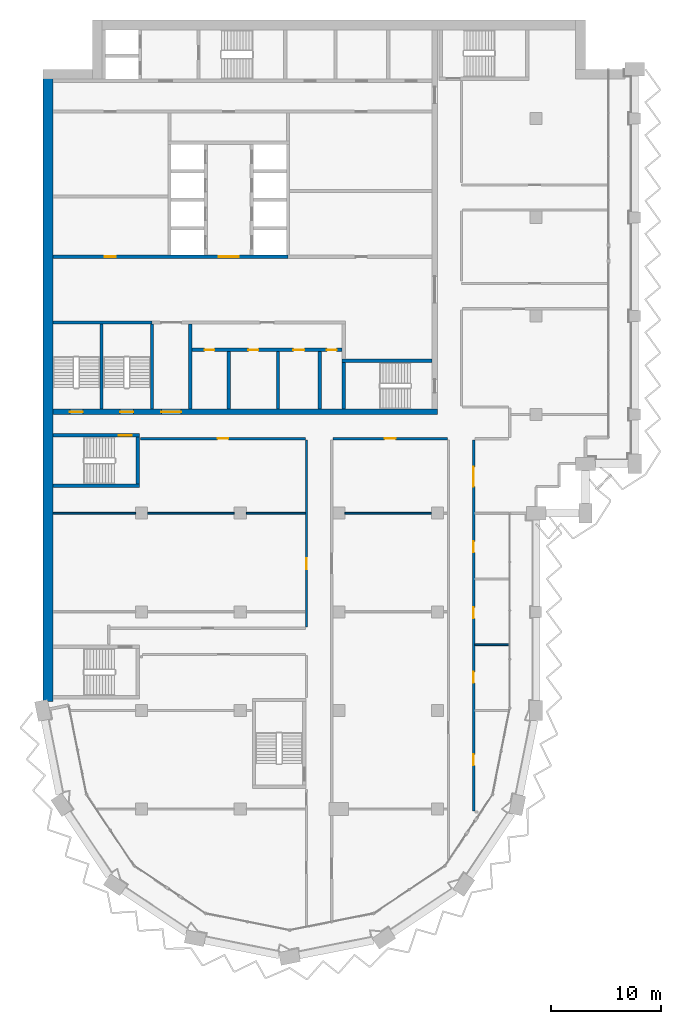
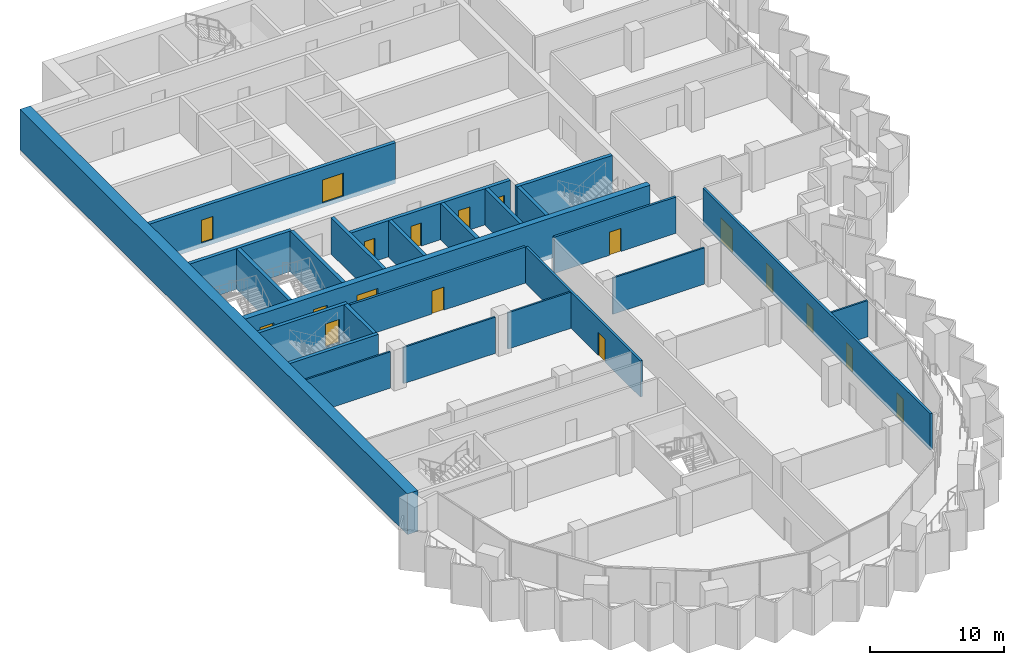
# One storey, part 8 of 17: 25 walls, 18 doors, 18 openings.
"""IFC4 building model written with IfcOpenShell, lengths in metres."""

from ifc_helpers import new_model, si_unit, direction, frame, frame_2d, origin, place, context, subcontext, project, spatial, rectangle, extrude, material, layer, layer_set, type_object, element, fill, save


model = new_model("IFC4")

# Units and contexts
model_context = context("Model", 3, precision=1e-05, world=origin(), true_north=direction((0.0, 1.0)))
body_context = subcontext(model_context, "Body", "Model", "MODEL_VIEW")
ifc_project = project(units=[si_unit("LENGTHUNIT", "METRE"), si_unit("AREAUNIT", "SQUARE_METRE"), si_unit("VOLUMEUNIT", "CUBIC_METRE"), si_unit("PLANEANGLEUNIT", "RADIAN"), si_unit("MASSUNIT", "GRAM", prefix="KILO")], contexts=[model_context])

# Site, building, storey
site_placement = place(None, origin())
site = spatial("IfcSite", under=ifc_project, at=site_placement, CompositionType="ELEMENT")
building_placement = place(site_placement, origin())
building = spatial("IfcBuilding", under=site, at=building_placement, Name="Hunhe Ridgeline Campus", CompositionType="ELEMENT")
storey_placement = place(building_placement, frame((0.0, 0.0, 201.300048828125)))
storey = spatial("IfcBuildingStorey", under=building, at=storey_placement, Name="L51", CompositionType="ELEMENT", Elevation=201.300048828125)

# Wall, openings, doors
ifc_material_1 = material(Name="Masonry concrete blockwork", Category="masonry")
ifc_layer_1 = layer(ifc_material_1, 0.300048828125)
ifc_layer_set_1 = layer_set([ifc_layer_1], Name="Core room partition 300 concrete block")
wall_type_1 = type_object("IfcWallType", Name="Core room partition 300 concrete block", PredefinedType="PARTITIONING", material=ifc_layer_set_1)
wall_1_placement = place(storey_placement, frame((13.60009765625, 68.89990234375, 0.0), z_axis=(0.0, 0.0, 1.0), x_axis=(1.0, 0.0, 0.0)))
wall_1 = element("IfcWall", 1, at=wall_1_placement, inside=storey, type_object=wall_type_1, Name="L51 core partition 9", PredefinedType="PARTITIONING", context=body_context, shape_type="SweptSolid", body=[
    extrude(rectangle(XDim=13.699951171875, YDim=0.300048828125, at=frame_2d((6.85009765625, 0.0))), origin(), (0.0, 0.0, 1.0), 3.300048828125),
])
opening_1_placement = place(wall_1_placement, frame((1.14990234375, 0.0, 0.0)))
opening_1 = element("IfcOpeningElement", 2, at=opening_1_placement, cuts=wall_1, Name="Opening CD8", PredefinedType="OPENING", context=body_context, shape_type="SweptSolid", body=[
    extrude(rectangle(XDim=0.89990234375, YDim=2.10009765625, at=frame_2d((0.449951171875, 1.050048828125))), frame((0.0, 0.14990234375, 0.0), z_axis=(0.0, -1.0, 0.0), x_axis=(1.0, 0.0, 0.0)), (0.0, 0.0, 1.0), 0.300048828125),
])
opening_2_placement = place(wall_1_placement, frame((5.14990234375, 0.0, 0.0)))
opening_2 = element("IfcOpeningElement", 3, at=opening_2_placement, cuts=wall_1, Name="Opening CD9", PredefinedType="OPENING", context=body_context, shape_type="SweptSolid", body=[
    extrude(rectangle(XDim=0.89990234375, YDim=2.10009765625, at=frame_2d((0.449951171875, 1.050048828125))), frame((0.0, 0.14990234375, 0.0), z_axis=(0.0, -1.0, 0.0), x_axis=(1.0, 0.0, 0.0)), (0.0, 0.0, 1.0), 0.300048828125),
])
opening_3_placement = place(wall_1_placement, frame((9.25, 0.0, 0.0)))
opening_3 = element("IfcOpeningElement", 4, at=opening_3_placement, cuts=wall_1, Name="Opening CD10", PredefinedType="OPENING", context=body_context, shape_type="SweptSolid", body=[
    extrude(rectangle(XDim=1.0, YDim=2.10009765625, at=frame_2d((0.5, 1.050048828125))), frame((0.0, 0.14990234375, 0.0), z_axis=(0.0, -1.0, 0.0), x_axis=(1.0, 0.0, 0.0)), (0.0, 0.0, 1.0), 0.300048828125),
])
opening_4_placement = place(wall_1_placement, frame((12.300048828125, 0.0, 0.0)))
opening_4 = element("IfcOpeningElement", 5, at=opening_4_placement, cuts=wall_1, Name="Opening CD11", PredefinedType="OPENING", context=body_context, shape_type="SweptSolid", body=[
    extrude(rectangle(XDim=0.89990234375, YDim=2.10009765625, at=frame_2d((0.449951171875, 1.050048828125))), frame((0.0, 0.14990234375, 0.0), z_axis=(0.0, -1.0, 0.0), x_axis=(1.0, 0.0, 0.0)), (0.0, 0.0, 1.0), 0.300048828125),
])
ifc_material_2 = material(Name="Solid core timber door leaf", Category="wood")
door_type_1 = type_object("IfcDoorType", Name="Timber door 1000x2100", OperationType="SINGLE_SWING_LEFT", PredefinedType="DOOR", material=ifc_material_2)
door_1_placement = place(opening_3_placement, frame((1.0, 0.0, 0.0), z_axis=(0.0, 0.0, 1.0), x_axis=(-1.0, 0.0, 0.0)))
door_1 = element("IfcDoor", 6, at=door_1_placement, inside=storey, type_object=door_type_1, Name="L51 door WC3", OperationType="SINGLE_SWING_LEFT", OverallHeight=2.10009765625, OverallWidth=1.0, PredefinedType="DOOR", context=body_context, shape_type="SweptSolid", body=[
    extrude(rectangle(XDim=1.0, YDim=2.10009765625, at=frame_2d((0.5, 1.050048828125))), frame((0.0, 0.02490234375, 0.0), z_axis=(0.0, -1.0, 0.0), x_axis=(1.0, 0.0, 0.0)), (0.0, 0.0, 1.0), 0.050048828125),
])
fill(opening_3, door_1)
door_type_2 = type_object("IfcDoorType", Name="Timber door 900x2100", OperationType="SINGLE_SWING_LEFT", PredefinedType="DOOR", material=ifc_material_2)
door_2_placement = place(opening_1_placement, frame((0.89990234375, 0.0, 0.0), z_axis=(0.0, 0.0, 1.0), x_axis=(-1.0, 0.0, 0.0)))
door_2 = element("IfcDoor", 7, at=door_2_placement, inside=storey, type_object=door_type_2, Name="L51 door WC1", OperationType="SINGLE_SWING_LEFT", OverallHeight=2.10009765625, OverallWidth=0.89990234375, PredefinedType="DOOR", context=body_context, shape_type="SweptSolid", body=[
    extrude(rectangle(XDim=0.89990234375, YDim=2.10009765625, at=frame_2d((0.449951171875, 1.050048828125))), frame((0.0, 0.02490234375, 0.0), z_axis=(0.0, -1.0, 0.0), x_axis=(1.0, 0.0, 0.0)), (0.0, 0.0, 1.0), 0.050048828125),
])
fill(opening_1, door_2)
door_3_placement = place(opening_2_placement, frame((0.89990234375, 0.0, 0.0), z_axis=(0.0, 0.0, 1.0), x_axis=(-1.0, 0.0, 0.0)))
door_3 = element("IfcDoor", 8, at=door_3_placement, inside=storey, type_object=door_type_2, Name="L51 door WC2", OperationType="SINGLE_SWING_RIGHT", OverallHeight=2.10009765625, OverallWidth=0.89990234375, PredefinedType="DOOR", context=body_context, shape_type="SweptSolid", body=[
    extrude(rectangle(XDim=0.89990234375, YDim=2.10009765625, at=frame_2d((0.449951171875, 1.050048828125))), frame((0.0, 0.02490234375, 0.0), z_axis=(0.0, -1.0, 0.0), x_axis=(1.0, 0.0, 0.0)), (0.0, 0.0, 1.0), 0.050048828125),
])
fill(opening_2, door_3)
door_4_placement = place(opening_4_placement, frame((0.89990234375, 0.0, 0.0), z_axis=(0.0, 0.0, 1.0), x_axis=(-1.0, 0.0, 0.0)))
door_4 = element("IfcDoor", 9, at=door_4_placement, inside=storey, type_object=door_type_2, Name="L51 door WC4", OperationType="SINGLE_SWING_RIGHT", OverallHeight=2.10009765625, OverallWidth=0.89990234375, PredefinedType="DOOR", context=body_context, shape_type="SweptSolid", body=[
    extrude(rectangle(XDim=0.89990234375, YDim=2.10009765625, at=frame_2d((0.449951171875, 1.050048828125))), frame((0.0, 0.02490234375, 0.0), z_axis=(0.0, -1.0, 0.0), x_axis=(1.0, 0.0, 0.0)), (0.0, 0.0, 1.0), 0.050048828125),
])
fill(opening_4, door_4)

# Walls
wall_2_placement = place(storey_placement, frame((13.449951171875, 63.5, 0.0), z_axis=(0.0, 0.0, 1.0), x_axis=(0.0, 1.0, 0.0)))
element("IfcWall", 10, at=wall_2_placement, inside=storey, type_object=wall_type_1, Name="L51 core partition 35", PredefinedType="PARTITIONING", context=body_context, shape_type="SweptSolid", body=[
    extrude(rectangle(XDim=7.75, YDim=0.300048828125, at=frame_2d((3.875, 0.0))), origin(), (0.0, 0.0, 1.0), 3.300048828125),
])
for number, where, z_axis, x_axis, name in (
    (11, (16.949951171875, 63.5, 0.0), (0.0, 0.0, 1.0), (0.0, 1.0, 0.0), "L51 core partition 38"),
    (12, (21.449951171875, 63.5, 0.0), (0.0, 0.0, 1.0), (0.0, 1.0, 0.0), "L51 core partition 41"),
    (13, (25.25, 63.5, 0.0), (0.0, 0.0, 1.0), (0.0, 1.0, 0.0), "L51 core partition 46"),
):
    element("IfcWall", number, at=place(storey_placement, frame(where, z_axis=z_axis, x_axis=x_axis)), inside=storey, type_object=wall_type_1, Name=name, PredefinedType="PARTITIONING", context=body_context, shape_type="SweptSolid", body=[
        extrude(rectangle(XDim=5.25, YDim=0.300048828125, at=frame_2d((2.625, 0.0))), origin(), (0.0, 0.0, 1.0), 3.300048828125),
    ])

# Wall, openings, doors
ifc_material_3 = material(Name="Concrete C60", Category="concrete")
ifc_layer_2 = layer(ifc_material_3, 0.5)
ifc_layer_set_2 = layer_set([ifc_layer_2], Name="Core wall 500 reinforced concrete C60")
wall_type_2 = type_object("IfcWallType", Name="Core wall 500 reinforced concrete C60", PredefinedType="SOLIDWALL", material=ifc_layer_set_2)
wall_3_placement = place(storey_placement, frame((0.89990234375, 63.25, -0.400146484375), z_axis=(0.0, 0.0, 1.0), x_axis=(1.0, 0.0, 0.0)))
wall_3 = element("IfcWall", 14, at=wall_3_placement, inside=storey, type_object=wall_type_2, Name="L51 core wall 7", PredefinedType="SOLIDWALL", context=body_context, shape_type="SweptSolid", body=[
    extrude(rectangle(XDim=35.10009765625, YDim=0.5, at=frame_2d((17.550048828125, 0.0))), origin(), (0.0, 0.0, 1.0), 3.7001953125),
])
opening_5_placement = place(wall_3_placement, frame((9.89990234375, 0.0, 0.39990234375)))
opening_5 = element("IfcOpeningElement", 15, at=opening_5_placement, cuts=wall_3, Name="Opening CD6", PredefinedType="OPENING", context=body_context, shape_type="SweptSolid", body=[
    extrude(rectangle(XDim=1.800048828125, YDim=2.10009765625, at=frame_2d((0.89990234375, 1.050048828125))), frame((0.0, 0.25, 0.0), z_axis=(0.0, -1.0, 0.0), x_axis=(1.0, 0.0, 0.0)), (0.0, 0.0, 1.0), 0.5),
])
opening_6_placement = place(wall_3_placement, frame((1.550048828125, 0.0, 0.39990234375)))
opening_6 = element("IfcOpeningElement", 16, at=opening_6_placement, cuts=wall_3, Name="Opening CD13", PredefinedType="OPENING", context=body_context, shape_type="SweptSolid", body=[
    extrude(rectangle(XDim=1.199951171875, YDim=2.10009765625, at=frame_2d((0.60009765625, 1.050048828125))), frame((0.0, 0.25, 0.0), z_axis=(0.0, -1.0, 0.0), x_axis=(1.0, 0.0, 0.0)), (0.0, 0.0, 1.0), 0.5),
])
opening_7_placement = place(wall_3_placement, frame((6.14990234375, 0.0, 0.39990234375)))
opening_7 = element("IfcOpeningElement", 17, at=opening_7_placement, cuts=wall_3, Name="Opening CD14", PredefinedType="OPENING", context=body_context, shape_type="SweptSolid", body=[
    extrude(rectangle(XDim=1.199951171875, YDim=2.10009765625, at=frame_2d((0.60009765625, 1.050048828125))), frame((0.0, 0.25, 0.0), z_axis=(0.0, -1.0, 0.0), x_axis=(1.0, 0.0, 0.0)), (0.0, 0.0, 1.0), 0.5),
])
ifc_material_4 = material(Name="Anodised aluminium and glass", Category="aluminium")
door_type_3 = type_object("IfcDoorType", Name="Glazed double door 1800x2100", OperationType="DOUBLE_DOOR_SINGLE_SWING", PredefinedType="DOOR", material=ifc_material_4)
door_5_placement = place(opening_5_placement, frame((1.800048828125, 0.0, 0.0), z_axis=(0.0, 0.0, 1.0), x_axis=(-1.0, 0.0, 0.0)))
door_5 = element("IfcDoor", 18, at=door_5_placement, inside=storey, type_object=door_type_3, Name="L51 door VEST-FLOOR", OperationType="DOUBLE_DOOR_SINGLE_SWING", OverallHeight=2.10009765625, OverallWidth=1.800048828125, PredefinedType="DOOR", context=body_context, shape_type="SweptSolid", body=[
    extrude(rectangle(XDim=1.800048828125, YDim=2.10009765625, at=frame_2d((0.89990234375, 1.050048828125))), frame((0.0, 0.02490234375, 0.0), z_axis=(0.0, -1.0, 0.0), x_axis=(1.0, 0.0, 0.0)), (0.0, 0.0, 1.0), 0.050048828125),
])
fill(opening_5, door_5)
ifc_material_5 = material(Name="Hollow metal fire door leaf")
door_type_4 = type_object("IfcDoorType", Name="Stair door 1200x2100 FD60", OperationType="SINGLE_SWING_LEFT", PredefinedType="DOOR", material=ifc_material_5)
door_6_placement = place(opening_6_placement, frame((1.199951171875, 0.0, 0.0), z_axis=(0.0, 0.0, 1.0), x_axis=(-1.0, 0.0, 0.0)))
door_6 = element("IfcDoor", 19, at=door_6_placement, inside=storey, type_object=door_type_4, Name="L51 door S3", OperationType="SINGLE_SWING_LEFT", OverallHeight=2.10009765625, OverallWidth=1.199951171875, PredefinedType="DOOR", context=body_context, shape_type="SweptSolid", body=[
    extrude(rectangle(XDim=1.199951171875, YDim=2.10009765625, at=frame_2d((0.60009765625, 1.050048828125))), frame((0.0, 0.02490234375, 0.0), z_axis=(0.0, -1.0, 0.0), x_axis=(1.0, 0.0, 0.0)), (0.0, 0.0, 1.0), 0.050048828125),
])
fill(opening_6, door_6)
door_7_placement = place(opening_7_placement, frame((1.199951171875, 0.0, 0.0), z_axis=(0.0, 0.0, 1.0), x_axis=(-1.0, 0.0, 0.0)))
door_7 = element("IfcDoor", 20, at=door_7_placement, inside=storey, type_object=door_type_4, Name="L51 door S4", OperationType="SINGLE_SWING_RIGHT", OverallHeight=2.10009765625, OverallWidth=1.199951171875, PredefinedType="DOOR", context=body_context, shape_type="SweptSolid", body=[
    extrude(rectangle(XDim=1.199951171875, YDim=2.10009765625, at=frame_2d((0.60009765625, 1.050048828125))), frame((0.0, 0.02490234375, 0.0), z_axis=(0.0, -1.0, 0.0), x_axis=(1.0, 0.0, 0.0)), (0.0, 0.0, 1.0), 0.050048828125),
])
fill(opening_7, door_7)

# Wall, opening, door
ifc_material_6 = material(Name="Gypsum board partition")
ifc_layer_3 = layer(ifc_material_6, 0.199951171875)
ifc_layer_set_3 = layer_set([ifc_layer_3], Name="Corridor partition 200 gypsum board on steel studs")
wall_type_3 = type_object("IfcWallType", Name="Corridor partition 200 gypsum board on steel studs", PredefinedType="PARTITIONING", material=ifc_layer_set_3)
wall_4_placement = place(storey_placement, frame((23.949951171875, 60.800048828125, 0.0), z_axis=(0.0, 0.0, 1.0), x_axis=(-1.0, 0.0, 0.0)))
wall_4 = element("IfcWall", 21, at=wall_4_placement, inside=storey, type_object=wall_type_3, Name="F-L51-wall-026", PredefinedType="PARTITIONING", context=body_context, shape_type="SweptSolid", body=[
    extrude(rectangle(XDim=15.0458984375, YDim=0.199951171875, at=frame_2d((7.52294921875, 0.0))), origin(), (0.0, 0.0, 1.0), 3.300048828125),
])
opening_8_placement = place(wall_4_placement, frame((7.02294921875, 0.0, 0.0)))
opening_8 = element("IfcOpeningElement", 22, at=opening_8_placement, cuts=wall_4, Name="Opening RD1-014", PredefinedType="OPENING", context=body_context, shape_type="SweptSolid", body=[
    extrude(rectangle(XDim=1.0, YDim=2.10009765625, at=frame_2d((0.5, 1.050048828125))), frame((0.0, 0.10009765625, 0.0), z_axis=(0.0, -1.0, 0.0), x_axis=(1.0, 0.0, 0.0)), (0.0, 0.0, 1.0), 0.199951171875),
])
ifc_material_7 = material(Name="Timber door leaf", Category="wood")
door_type_5 = type_object("IfcDoorType", Name="Single fire door 1000x2100 timber FD60", OperationType="NOTDEFINED", PredefinedType="DOOR", material=ifc_material_7)
door_8_placement = place(opening_8_placement, origin())
door_8 = element("IfcDoor", 23, at=door_8_placement, inside=storey, type_object=door_type_5, Name="F-L51-door-014", OperationType="SINGLE_SWING_LEFT", OverallHeight=2.10009765625, OverallWidth=1.0, PredefinedType="DOOR", context=body_context, shape_type="SweptSolid", body=[
    extrude(rectangle(XDim=1.0, YDim=2.10009765625, at=frame_2d((0.5, 1.050048828125))), frame((0.0, 0.02490234375, 0.0), z_axis=(0.0, -1.0, 0.0), x_axis=(1.0, 0.0, 0.0)), (0.0, 0.0, 1.0), 0.050048828125),
])
fill(opening_8, door_8)

wall_5_placement = place(storey_placement, frame((36.89990234375, 60.800048828125, 0.0), z_axis=(0.0, 0.0, 1.0), x_axis=(-1.0, 0.0, 0.0)))
wall_5 = element("IfcWall", 24, at=wall_5_placement, inside=storey, type_object=wall_type_3, Name="F-L51-wall-027", PredefinedType="PARTITIONING", context=body_context, shape_type="SweptSolid", body=[
    extrude(rectangle(XDim=10.449951171875, YDim=0.199951171875, at=frame_2d((5.22509765625, 0.0))), origin(), (0.0, 0.0, 1.0), 3.300048828125),
])
opening_9_placement = place(wall_5_placement, frame((4.72509765625, 0.0, 0.0)))
opening_9 = element("IfcOpeningElement", 25, at=opening_9_placement, cuts=wall_5, Name="Opening RD1-015", PredefinedType="OPENING", context=body_context, shape_type="SweptSolid", body=[
    extrude(rectangle(XDim=1.0, YDim=2.10009765625, at=frame_2d((0.5, 1.050048828125))), frame((0.0, 0.10009765625, 0.0), z_axis=(0.0, -1.0, 0.0), x_axis=(1.0, 0.0, 0.0)), (0.0, 0.0, 1.0), 0.199951171875),
])
door_9_placement = place(opening_9_placement, origin())
door_9 = element("IfcDoor", 26, at=door_9_placement, inside=storey, type_object=door_type_5, Name="F-L51-door-015", OperationType="SINGLE_SWING_LEFT", OverallHeight=2.10009765625, OverallWidth=1.0, PredefinedType="DOOR", context=body_context, shape_type="SweptSolid", body=[
    extrude(rectangle(XDim=1.0, YDim=2.10009765625, at=frame_2d((0.5, 1.050048828125))), frame((0.0, 0.02490234375, 0.0), z_axis=(0.0, -1.0, 0.0), x_axis=(1.0, 0.0, 0.0)), (0.0, 0.0, 1.0), 0.050048828125),
])
fill(opening_9, door_9)

wall_6_placement = place(storey_placement, frame((24.050048828125, 43.60009765625, 0.0), z_axis=(0.0, 0.0, 1.0), x_axis=(0.0, 1.0, 0.0)))
wall_6 = element("IfcWall", 27, at=wall_6_placement, inside=storey, type_object=wall_type_3, Name="F-L51-wall-040", PredefinedType="PARTITIONING", context=body_context, shape_type="SweptSolid", body=[
    extrude(rectangle(XDim=17.099853515625, YDim=0.199951171875, at=frame_2d((8.5498046875, 0.0))), origin(), (0.0, 0.0, 1.0), 3.300048828125),
])
opening_10_placement = place(wall_6_placement, frame((5.28369140625, 0.0, 0.0)))
opening_10 = element("IfcOpeningElement", 28, at=opening_10_placement, cuts=wall_6, Name="Opening RD1-010", PredefinedType="OPENING", context=body_context, shape_type="SweptSolid", body=[
    extrude(rectangle(XDim=1.0, YDim=2.10009765625, at=frame_2d((0.5, 1.050048828125))), frame((0.0, 0.10009765625, 0.0), z_axis=(0.0, -1.0, 0.0), x_axis=(1.0, 0.0, 0.0)), (0.0, 0.0, 1.0), 0.199951171875),
])
door_10_placement = place(opening_10_placement, origin())
door_10 = element("IfcDoor", 29, at=door_10_placement, inside=storey, type_object=door_type_5, Name="F-L51-door-010", OperationType="SINGLE_SWING_RIGHT", OverallHeight=2.10009765625, OverallWidth=1.0, PredefinedType="DOOR", context=body_context, shape_type="SweptSolid", body=[
    extrude(rectangle(XDim=1.0, YDim=2.10009765625, at=frame_2d((0.5, 1.050048828125))), frame((0.0, 0.02490234375, 0.0), z_axis=(0.0, -1.0, 0.0), x_axis=(1.0, 0.0, 0.0)), (0.0, 0.0, 1.0), 0.050048828125),
])
fill(opening_10, door_10)

# Wall, openings, doors
wall_7_placement = place(storey_placement, frame((39.300048828125, 60.699951171875, 0.0), z_axis=(0.0, 0.0, 1.0), x_axis=(0.0, -1.0, 0.0)))
wall_7 = element("IfcWall", 30, at=wall_7_placement, inside=storey, type_object=wall_type_3, Name="F-L51-wall-047", PredefinedType="PARTITIONING", context=body_context, shape_type="SweptSolid", body=[
    extrude(rectangle(XDim=33.85205078125, YDim=0.199951171875, at=frame_2d((16.926025390625, 0.0))), origin(), (0.0, 0.0, 1.0), 3.300048828125),
])
opening_11_placement = place(wall_7_placement, frame((28.712890625, 0.0, 0.0)))
opening_11 = element("IfcOpeningElement", 31, at=opening_11_placement, cuts=wall_7, Name="Opening RD1-004", PredefinedType="OPENING", context=body_context, shape_type="SweptSolid", body=[
    extrude(rectangle(XDim=1.0, YDim=2.10009765625, at=frame_2d((0.5, 1.050048828125))), frame((0.0, 0.10009765625, 0.0), z_axis=(0.0, -1.0, 0.0), x_axis=(1.0, 0.0, 0.0)), (0.0, 0.0, 1.0), 0.199951171875),
])
opening_12_placement = place(wall_7_placement, frame((21.1904296875, 0.0, 0.0)))
opening_12 = element("IfcOpeningElement", 32, at=opening_12_placement, cuts=wall_7, Name="Opening RD1-006", PredefinedType="OPENING", context=body_context, shape_type="SweptSolid", body=[
    extrude(rectangle(XDim=1.0, YDim=2.10009765625, at=frame_2d((0.5, 1.050048828125))), frame((0.0, 0.10009765625, 0.0), z_axis=(0.0, -1.0, 0.0), x_axis=(1.0, 0.0, 0.0)), (0.0, 0.0, 1.0), 0.199951171875),
])
opening_13_placement = place(wall_7_placement, frame((15.297607421875, 0.0, 0.0)))
opening_13 = element("IfcOpeningElement", 33, at=opening_13_placement, cuts=wall_7, Name="Opening RD1-009", PredefinedType="OPENING", context=body_context, shape_type="SweptSolid", body=[
    extrude(rectangle(XDim=1.0, YDim=2.10009765625, at=frame_2d((0.5, 1.050048828125))), frame((0.0, 0.10009765625, 0.0), z_axis=(0.0, -1.0, 0.0), x_axis=(1.0, 0.0, 0.0)), (0.0, 0.0, 1.0), 0.199951171875),
])
opening_14_placement = place(wall_7_placement, frame((9.279541015625, 0.0, 0.0)))
opening_14 = element("IfcOpeningElement", 34, at=opening_14_placement, cuts=wall_7, Name="Opening RD1-012", PredefinedType="OPENING", context=body_context, shape_type="SweptSolid", body=[
    extrude(rectangle(XDim=1.0, YDim=2.10009765625, at=frame_2d((0.5, 1.050048828125))), frame((0.0, 0.10009765625, 0.0), z_axis=(0.0, -1.0, 0.0), x_axis=(1.0, 0.0, 0.0)), (0.0, 0.0, 1.0), 0.199951171875),
])
opening_15_placement = place(wall_7_placement, frame((2.485107421875, 0.0, 0.0)))
opening_15 = element("IfcOpeningElement", 35, at=opening_15_placement, cuts=wall_7, Name="Opening RD2-013", PredefinedType="OPENING", context=body_context, shape_type="SweptSolid", body=[
    extrude(rectangle(XDim=1.800048828125, YDim=2.10009765625, at=frame_2d((0.89990234375, 1.050048828125))), frame((0.0, 0.10009765625, 0.0), z_axis=(0.0, -1.0, 0.0), x_axis=(1.0, 0.0, 0.0)), (0.0, 0.0, 1.0), 0.199951171875),
])
door_type_6 = type_object("IfcDoorType", Name="Double fire door 1800x2100 timber FD60", OperationType="DOUBLE_DOOR_SINGLE_SWING", PredefinedType="DOOR", material=ifc_material_7)
door_11_placement = place(opening_15_placement, origin())
door_11 = element("IfcDoor", 36, at=door_11_placement, inside=storey, type_object=door_type_6, Name="F-L51-door-013", OperationType="DOUBLE_DOOR_SINGLE_SWING", OverallHeight=2.10009765625, OverallWidth=1.800048828125, PredefinedType="DOOR", context=body_context, shape_type="SweptSolid", body=[
    extrude(rectangle(XDim=1.800048828125, YDim=2.10009765625, at=frame_2d((0.89990234375, 1.050048828125))), frame((0.0, 0.02490234375, 0.0), z_axis=(0.0, -1.0, 0.0), x_axis=(1.0, 0.0, 0.0)), (0.0, 0.0, 1.0), 0.050048828125),
])
fill(opening_15, door_11)
door_12_placement = place(opening_11_placement, origin())
door_12 = element("IfcDoor", 37, at=door_12_placement, inside=storey, type_object=door_type_5, Name="F-L51-door-004", OperationType="SINGLE_SWING_LEFT", OverallHeight=2.10009765625, OverallWidth=1.0, PredefinedType="DOOR", context=body_context, shape_type="SweptSolid", body=[
    extrude(rectangle(XDim=1.0, YDim=2.10009765625, at=frame_2d((0.5, 1.050048828125))), frame((0.0, 0.02490234375, 0.0), z_axis=(0.0, -1.0, 0.0), x_axis=(1.0, 0.0, 0.0)), (0.0, 0.0, 1.0), 0.050048828125),
])
fill(opening_11, door_12)
door_13_placement = place(opening_12_placement, origin())
door_13 = element("IfcDoor", 38, at=door_13_placement, inside=storey, type_object=door_type_5, Name="F-L51-door-006", OperationType="SINGLE_SWING_LEFT", OverallHeight=2.10009765625, OverallWidth=1.0, PredefinedType="DOOR", context=body_context, shape_type="SweptSolid", body=[
    extrude(rectangle(XDim=1.0, YDim=2.10009765625, at=frame_2d((0.5, 1.050048828125))), frame((0.0, 0.02490234375, 0.0), z_axis=(0.0, -1.0, 0.0), x_axis=(1.0, 0.0, 0.0)), (0.0, 0.0, 1.0), 0.050048828125),
])
fill(opening_12, door_13)
door_14_placement = place(opening_13_placement, origin())
door_14 = element("IfcDoor", 39, at=door_14_placement, inside=storey, type_object=door_type_5, Name="F-L51-door-009", OperationType="SINGLE_SWING_LEFT", OverallHeight=2.10009765625, OverallWidth=1.0, PredefinedType="DOOR", context=body_context, shape_type="SweptSolid", body=[
    extrude(rectangle(XDim=1.0, YDim=2.10009765625, at=frame_2d((0.5, 1.050048828125))), frame((0.0, 0.02490234375, 0.0), z_axis=(0.0, -1.0, 0.0), x_axis=(1.0, 0.0, 0.0)), (0.0, 0.0, 1.0), 0.050048828125),
])
fill(opening_13, door_14)
door_15_placement = place(opening_14_placement, origin())
door_15 = element("IfcDoor", 40, at=door_15_placement, inside=storey, type_object=door_type_5, Name="F-L51-door-012", OperationType="SINGLE_SWING_RIGHT", OverallHeight=2.10009765625, OverallWidth=1.0, PredefinedType="DOOR", context=body_context, shape_type="SweptSolid", body=[
    extrude(rectangle(XDim=1.0, YDim=2.10009765625, at=frame_2d((0.5, 1.050048828125))), frame((0.0, 0.02490234375, 0.0), z_axis=(0.0, -1.0, 0.0), x_axis=(1.0, 0.0, 0.0)), (0.0, 0.0, 1.0), 0.050048828125),
])
fill(opening_14, door_15)

# Walls
ifc_layer_4 = layer(ifc_material_6, 0.14990234375)
ifc_layer_set_4 = layer_set([ifc_layer_4], Name="Room partition 150 gypsum board on steel studs")
wall_type_4 = type_object("IfcWallType", Name="Room partition 150 gypsum board on steel studs", PredefinedType="PARTITIONING", material=ifc_layer_set_4)
wall_8_placement = place(storey_placement, frame((39.39990234375, 42.0, 0.0), z_axis=(0.0, 0.0, 1.0), x_axis=(1.0, 0.0, 0.0)))
element("IfcWall", 41, at=wall_8_placement, inside=storey, type_object=wall_type_4, Name="F-L51-wall-012", PredefinedType="PARTITIONING", context=body_context, shape_type="SweptSolid", body=[
    extrude(rectangle(XDim=3.14501953125, YDim=0.14990234375, at=frame_2d((1.572509765625, 0.0))), origin(), (0.0, 0.0, 1.0), 3.300048828125),
])
wall_9_placement = place(storey_placement, frame((0.919921875, 54.0, 0.0), z_axis=(0.0, 0.0, 1.0), x_axis=(1.0, 0.0, 0.0)))
element("IfcWall", 42, at=wall_9_placement, inside=storey, type_object=wall_type_4, Name="F-L51-wall-020", PredefinedType="PARTITIONING", context=body_context, shape_type="SweptSolid", body=[
    extrude(rectangle(XDim=7.530029296875, YDim=0.14990234375, at=frame_2d((3.76513671875, 0.0))), origin(), (0.0, 0.0, 1.0), 3.300048828125),
])
wall_10_placement = place(storey_placement, frame((9.550048828125, 54.0, 0.0), z_axis=(0.0, 0.0, 1.0), x_axis=(1.0, 0.0, 0.0)))
element("IfcWall", 43, at=wall_10_placement, inside=storey, type_object=wall_type_4, Name="F-L51-wall-021", PredefinedType="PARTITIONING", context=body_context, shape_type="SweptSolid", body=[
    extrude(rectangle(XDim=7.89990234375, YDim=0.14990234375, at=frame_2d((3.949951171875, 0.0))), origin(), (0.0, 0.0, 1.0), 3.300048828125),
])
wall_11_placement = place(storey_placement, frame((18.550048828125, 54.0, 0.0), z_axis=(0.0, 0.0, 1.0), x_axis=(1.0, 0.0, 0.0)))
element("IfcWall", 44, at=wall_11_placement, inside=storey, type_object=wall_type_4, Name="F-L51-wall-022", PredefinedType="PARTITIONING", context=body_context, shape_type="SweptSolid", body=[
    extrude(rectangle(XDim=5.39990234375, YDim=0.14990234375, at=frame_2d((2.699951171875, 0.0))), origin(), (0.0, 0.0, 1.0), 3.300048828125),
])
wall_12_placement = place(storey_placement, frame((27.550048828125, 54.0, 0.0), z_axis=(0.0, 0.0, 1.0), x_axis=(1.0, 0.0, 0.0)))
element("IfcWall", 45, at=wall_12_placement, inside=storey, type_object=wall_type_4, Name="F-L51-wall-023", PredefinedType="PARTITIONING", context=body_context, shape_type="SweptSolid", body=[
    extrude(rectangle(XDim=7.89990234375, YDim=0.14990234375, at=frame_2d((3.949951171875, 0.0))), origin(), (0.0, 0.0, 1.0), 3.300048828125),
])

# Wall, openings, doors
ifc_layer_5 = layer(ifc_material_3, 0.300048828125)
ifc_layer_set_5 = layer_set([ifc_layer_5], Name="Shaft wall 300 reinforced concrete C60")
wall_type_5 = type_object("IfcWallType", Name="Shaft wall 300 reinforced concrete C60", PredefinedType="SOLIDWALL", material=ifc_layer_set_5)
wall_13_placement = place(storey_placement, frame((0.89990234375, 77.39990234375, -0.400146484375), z_axis=(0.0, 0.0, 1.0), x_axis=(1.0, 0.0, 0.0)))
wall_13 = element("IfcWall", 46, at=wall_13_placement, inside=storey, type_object=wall_type_5, Name="L51 core wall 12", PredefinedType="SOLIDWALL", context=body_context, shape_type="SweptSolid", body=[
    extrude(rectangle(XDim=21.4501953125, YDim=0.300048828125, at=frame_2d((10.72509765625, 0.0))), origin(), (0.0, 0.0, 1.0), 3.7001953125),
])
opening_16_placement = place(wall_13_placement, frame((15.14990234375, 0.0, 0.39990234375)))
opening_16 = element("IfcOpeningElement", 47, at=opening_16_placement, cuts=wall_13, Name="Opening CD38", PredefinedType="OPENING", context=body_context, shape_type="SweptSolid", body=[
    extrude(rectangle(XDim=1.800048828125, YDim=2.10009765625, at=frame_2d((0.89990234375, 1.050048828125))), frame((0.0, 0.14990234375, 0.0), z_axis=(0.0, -1.0, 0.0), x_axis=(1.0, 0.0, 0.0)), (0.0, 0.0, 1.0), 0.300048828125),
])
opening_17_placement = place(wall_13_placement, frame((4.75, 0.0, 0.39990234375)))
opening_17 = element("IfcOpeningElement", 48, at=opening_17_placement, cuts=wall_13, Name="Opening CD39", PredefinedType="OPENING", context=body_context, shape_type="SweptSolid", body=[
    extrude(rectangle(XDim=1.0, YDim=2.10009765625, at=frame_2d((0.5, 1.050048828125))), frame((0.0, 0.14990234375, 0.0), z_axis=(0.0, -1.0, 0.0), x_axis=(1.0, 0.0, 0.0)), (0.0, 0.0, 1.0), 0.300048828125),
])
door_type_7 = type_object("IfcDoorType", Name="Lobby door 1800x2100 FD60", OperationType="SINGLE_SWING_LEFT", PredefinedType="DOOR", material=ifc_material_5)
door_16_placement = place(opening_16_placement, frame((1.800048828125, 0.0, 0.0), z_axis=(0.0, 0.0, 1.0), x_axis=(-1.0, 0.0, 0.0)))
door_16 = element("IfcDoor", 49, at=door_16_placement, inside=storey, type_object=door_type_7, Name="L51 door LOB-HR", OperationType="SINGLE_SWING_RIGHT", OverallHeight=2.10009765625, OverallWidth=1.800048828125, PredefinedType="DOOR", context=body_context, shape_type="SweptSolid", body=[
    extrude(rectangle(XDim=1.800048828125, YDim=2.10009765625, at=frame_2d((0.89990234375, 1.050048828125))), frame((0.0, 0.02490234375, 0.0), z_axis=(0.0, -1.0, 0.0), x_axis=(1.0, 0.0, 0.0)), (0.0, 0.0, 1.0), 0.050048828125),
])
fill(opening_16, door_16)
door_17_placement = place(opening_17_placement, origin())
door_17 = element("IfcDoor", 50, at=door_17_placement, inside=storey, type_object=door_type_1, Name="L51 door VD-LR0", OperationType="SINGLE_SWING_LEFT", OverallHeight=2.10009765625, OverallWidth=1.0, PredefinedType="DOOR", context=body_context, shape_type="SweptSolid", body=[
    extrude(rectangle(XDim=1.0, YDim=2.10009765625, at=frame_2d((0.5, 1.050048828125))), frame((0.0, 0.02490234375, 0.0), z_axis=(0.0, -1.0, 0.0), x_axis=(1.0, 0.0, 0.0)), (0.0, 0.0, 1.0), 0.050048828125),
])
fill(opening_17, door_17)

# Walls
ifc_layer_6 = layer(ifc_material_3, 0.89990234375)
ifc_layer_set_6 = layer_set([ifc_layer_6], Name="Spine wall 900 Concrete C60")
wall_type_6 = type_object("IfcWallType", Name="Spine wall 900 Concrete C60", PredefinedType="SHEAR", material=ifc_layer_set_6)
wall_14_placement = place(storey_placement, frame((0.449951171875, 94.5, 0.0), z_axis=(0.0, 0.0, 1.0), x_axis=(0.0, -1.0, 0.0)))
element("IfcWall", 51, at=wall_14_placement, inside=storey, type_object=wall_type_6, Name="Spine wall SW3-1 L51", PredefinedType="SHEAR", context=body_context, shape_type="SweptSolid", body=[
    extrude(rectangle(XDim=57.686767578125, YDim=0.89990234375, at=frame_2d((28.84326171875, 0.0))), origin(), (0.0, 0.0, 1.0), 3.699951171875),
])
ifc_layer_7 = layer(ifc_material_3, 0.300048828125)
ifc_layer_set_7 = layer_set([ifc_layer_7], Name="Stair wall 300 reinforced concrete C60")
wall_type_7 = type_object("IfcWallType", Name="Stair wall 300 reinforced concrete C60", PredefinedType="SOLIDWALL", material=ifc_layer_set_7)
wall_15_placement = place(storey_placement, frame((0.89990234375, 56.5, -0.400146484375), z_axis=(0.0, 0.0, 1.0), x_axis=(1.0, 0.0, 0.0)))
element("IfcWall", 52, at=wall_15_placement, inside=storey, type_object=wall_type_7, Name="L51 core wall 5", PredefinedType="SOLIDWALL", context=body_context, shape_type="SweptSolid", body=[
    extrude(rectangle(XDim=7.900146484375, YDim=0.300048828125, at=frame_2d((3.9501953125, 0.0))), origin(), (0.0, 0.0, 1.0), 3.7001953125),
])

# Wall, opening, door
wall_16_placement = place(storey_placement, frame((0.89990234375, 61.10009765625, -0.400146484375), z_axis=(0.0, 0.0, 1.0), x_axis=(1.0, 0.0, 0.0)))
wall_16 = element("IfcWall", 53, at=wall_16_placement, inside=storey, type_object=wall_type_7, Name="L51 core wall 6", PredefinedType="SOLIDWALL", context=body_context, shape_type="SweptSolid", body=[
    extrude(rectangle(XDim=7.900146484375, YDim=0.300048828125, at=frame_2d((3.9501953125, 0.0))), origin(), (0.0, 0.0, 1.0), 3.7001953125),
])
opening_18_placement = place(wall_16_placement, frame((6.0, 0.0, 0.39990234375)))
opening_18 = element("IfcOpeningElement", 54, at=opening_18_placement, cuts=wall_16, Name="Opening CD22", PredefinedType="OPENING", context=body_context, shape_type="SweptSolid", body=[
    extrude(rectangle(XDim=1.199951171875, YDim=2.10009765625, at=frame_2d((0.60009765625, 1.050048828125))), frame((0.0, 0.14990234375, 0.0), z_axis=(0.0, -1.0, 0.0), x_axis=(1.0, 0.0, 0.0)), (0.0, 0.0, 1.0), 0.300048828125),
])
door_18_placement = place(opening_18_placement, origin())
door_18 = element("IfcDoor", 55, at=door_18_placement, inside=storey, type_object=door_type_4, Name="L51 door W2", OperationType="SINGLE_SWING_RIGHT", OverallHeight=2.10009765625, OverallWidth=1.199951171875, PredefinedType="DOOR", context=body_context, shape_type="SweptSolid", body=[
    extrude(rectangle(XDim=1.199951171875, YDim=2.10009765625, at=frame_2d((0.60009765625, 1.050048828125))), frame((0.0, 0.02490234375, 0.0), z_axis=(0.0, -1.0, 0.0), x_axis=(1.0, 0.0, 0.0)), (0.0, 0.0, 1.0), 0.050048828125),
])
fill(opening_18, door_18)

# Walls
wall_17_placement = place(storey_placement, frame((27.300048828125, 67.89990234375, -0.400146484375), z_axis=(0.0, 0.0, 1.0), x_axis=(1.0, 0.0, 0.0)))
element("IfcWall", 56, at=wall_17_placement, inside=storey, type_object=wall_type_7, Name="L51 core wall 8", PredefinedType="SOLIDWALL", context=body_context, shape_type="SweptSolid", body=[
    extrude(rectangle(XDim=8.199951171875, YDim=0.300048828125, at=frame_2d((4.10009765625, 0.0))), origin(), (0.0, 0.0, 1.0), 3.7001953125),
])
wall_18_placement = place(storey_placement, frame((0.89990234375, 71.39990234375, -0.400146484375), z_axis=(0.0, 0.0, 1.0), x_axis=(1.0, 0.0, 0.0)))
element("IfcWall", 57, at=wall_18_placement, inside=storey, type_object=wall_type_7, Name="L51 core wall 10", PredefinedType="SOLIDWALL", context=body_context, shape_type="SweptSolid", body=[
    extrude(rectangle(XDim=9.050048828125, YDim=0.300048828125, at=frame_2d((4.52490234375, 0.0))), origin(), (0.0, 0.0, 1.0), 3.7001953125),
])
wall_19_placement = place(storey_placement, frame((5.35009765625, 63.5, -0.400146484375), z_axis=(0.0, 0.0, 1.0), x_axis=(0.0, 1.0, 0.0)))
element("IfcWall", 58, at=wall_19_placement, inside=storey, type_object=wall_type_7, Name="L51 core wall 27", PredefinedType="SOLIDWALL", context=body_context, shape_type="SweptSolid", body=[
    extrude(rectangle(XDim=7.75, YDim=0.300048828125, at=frame_2d((3.875, 0.0))), origin(), (0.0, 0.0, 1.0), 3.7001953125),
])
wall_20_placement = place(storey_placement, frame((8.64990234375, 56.64990234375, -0.400146484375), z_axis=(0.0, 0.0, 1.0), x_axis=(0.0, 1.0, 0.0)))
element("IfcWall", 59, at=wall_20_placement, inside=storey, type_object=wall_type_7, Name="L51 core wall 30", PredefinedType="SOLIDWALL", context=body_context, shape_type="SweptSolid", body=[
    extrude(rectangle(XDim=4.300048828125, YDim=0.300048828125, at=frame_2d((2.14990234375, 0.0))), origin(), (0.0, 0.0, 1.0), 3.7001953125),
])
wall_21_placement = place(storey_placement, frame((9.949951171875, 63.5, -0.400146484375), z_axis=(0.0, 0.0, 1.0), x_axis=(0.0, 1.0, 0.0)))
element("IfcWall", 60, at=wall_21_placement, inside=storey, type_object=wall_type_7, Name="L51 core wall 32", PredefinedType="SOLIDWALL", context=body_context, shape_type="SweptSolid", body=[
    extrude(rectangle(XDim=7.75, YDim=0.300048828125, at=frame_2d((3.875, 0.0))), origin(), (0.0, 0.0, 1.0), 3.7001953125),
])
wall_22_placement = place(storey_placement, frame((27.449951171875, 63.5, -0.400146484375), z_axis=(0.0, 0.0, 1.0), x_axis=(0.0, 1.0, 0.0)))
element("IfcWall", 61, at=wall_22_placement, inside=storey, type_object=wall_type_7, Name="L51 core wall 48", PredefinedType="SOLIDWALL", context=body_context, shape_type="SweptSolid", body=[
    extrude(rectangle(XDim=4.25, YDim=0.300048828125, at=frame_2d((2.125, 0.0))), origin(), (0.0, 0.0, 1.0), 3.7001953125),
])

save(model, "model.ifc")
